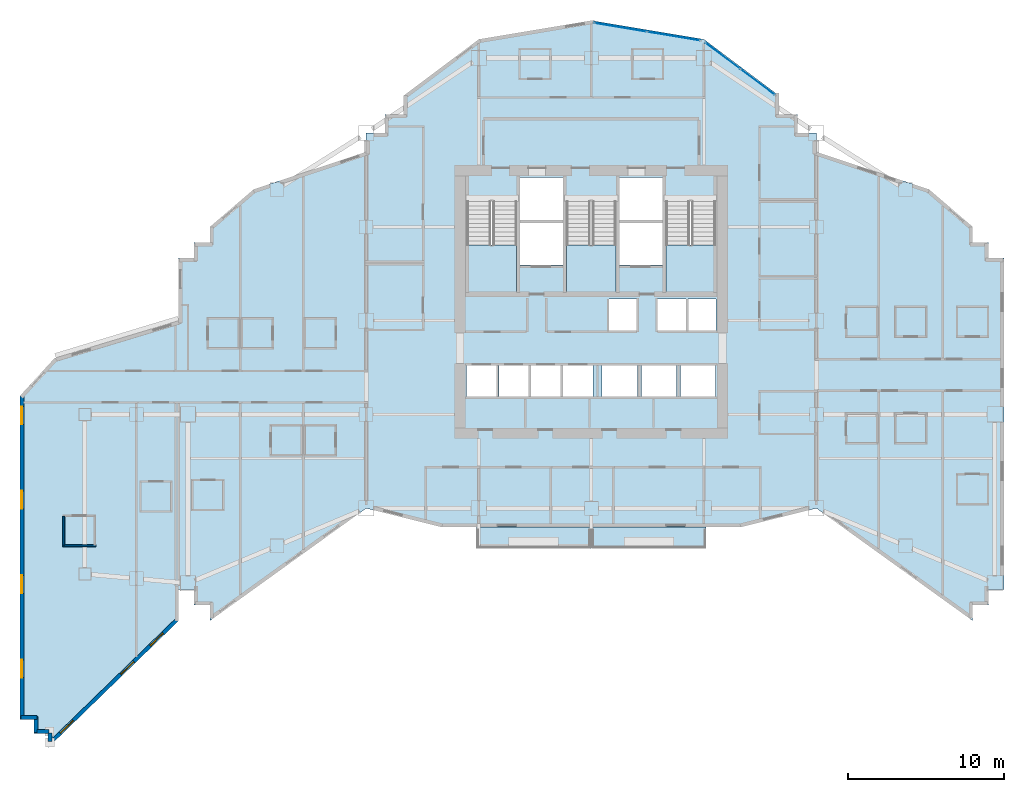
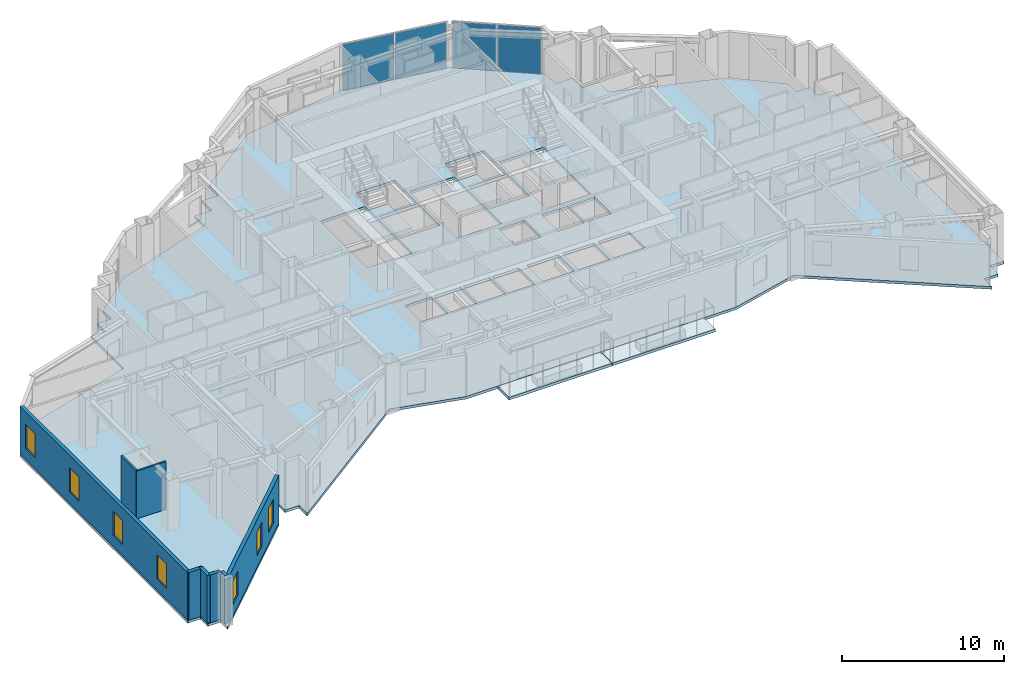
# One storey, part 5 of 14: 8 walls, 7 windows, 6 slabs, 4 plates, 7 openings, 5 elements without a shape of their own.
"""IFC4 building model written with IfcOpenShell, lengths in metres."""

import ifcopenshell
import ifcopenshell.guid

model = None  # the IFC model being written
_history = None  # IfcOwnerHistory: only IFC2X3 demands one
_inside = {}  # id of a spatial element -> (the spatial element, [elements in it])
_under = {}  # id of a project, library or spatial element -> (it, [spatial elements below it])
_declared = {}  # id of a project -> (the project, [libraries it declares])
_typed = {}  # id of a type object -> (the type object, [elements of that type])
_made_of = {}  # id of a material, layer set ... -> (it, [elements and type objects made of it])


def new_model(schema):
    """Start an empty IFC model of exactly this schema.

    Asked for "IFC4X3", IfcOpenShell would pick the latest addendum, in which some entities
    have other attributes; the version numbers below select the first issue.
    IFC2X3 requires an IfcOwnerHistory on every rooted entity: one is made here for all.
    """
    global model, _history
    if schema == "IFC4X3":
        model = ifcopenshell.file(schema_version=(4, 3, 0, 0))
    else:
        model = ifcopenshell.file(schema=schema)
    _inside.clear()
    _under.clear()
    _declared.clear()
    _typed.clear()
    _made_of.clear()
    _history = None
    if model.schema == "IFC2X3":
        org = make("IfcOrganization", Name="unknown")
        user = make(
            "IfcPersonAndOrganization",
            ThePerson=make("IfcPerson", FamilyName="unknown"),
            TheOrganization=org,
        )
        app = make(
            "IfcApplication",
            ApplicationDeveloper=org,
            Version="unknown",
            ApplicationFullName="unknown",
            ApplicationIdentifier="unknown",
        )
        _history = make(
            "IfcOwnerHistory",
            OwningUser=user,
            OwningApplication=app,
            ChangeAction="ADDED",
            CreationDate=0,
        )
    return model


def make(cls, **values):
    """One entity of the class cls with the attributes given. An attribute that is None is left unset."""
    return model.create_entity(
        cls, **{name: value for name, value in values.items() if value is not None}
    )


def rooted(cls, **values):
    """An entity with a GlobalId (a new one), such as an element, a storey or a relation."""
    return make(cls, GlobalId=ifcopenshell.guid.new(), OwnerHistory=_history, **values)


def si_unit(unit_type, name, prefix=None):
    """IfcSIUnit, for example si_unit("LENGTHUNIT", "METRE", prefix="MILLI")."""
    return make("IfcSIUnit", UnitType=unit_type, Prefix=prefix, Name=name)


def assignment(units):
    """IfcUnitAssignment: the units of a project."""
    return None if units is None else make("IfcUnitAssignment", Units=units)


def point(xyz):
    """IfcCartesianPoint."""
    return None if xyz is None else make("IfcCartesianPoint", Coordinates=xyz)


def direction(xyz):
    """IfcDirection."""
    return None if xyz is None else make("IfcDirection", DirectionRatios=xyz)


def frame(location, z_axis=None, x_axis=None):
    """IfcAxis2Placement3D, a coordinate frame: its origin and axes. An axis left out is left unset."""
    return make(
        "IfcAxis2Placement3D",
        Location=point(location),
        Axis=direction(z_axis),
        RefDirection=direction(x_axis),
    )


def frame_2d(location, x_axis=None):
    """IfcAxis2Placement2D, a coordinate frame in the plane: its origin and x axis."""
    return make(
        "IfcAxis2Placement2D", Location=point(location), RefDirection=direction(x_axis)
    )


def origin():
    """The frame at (0, 0, 0) with its axes left unset."""
    return frame((0.0, 0.0, 0.0))


def origin_2d():
    """The frame at (0, 0) in the plane with its x axis left unset."""
    return frame_2d((0.0, 0.0))


def place(relative_to, where):
    """IfcLocalPlacement: puts the frame where relative to a parent placement (None: the world)."""
    return make(
        "IfcLocalPlacement", PlacementRelTo=relative_to, RelativePlacement=where
    )


def context(
    kind, dimensions, precision=None, world=None, true_north=None, identifier=None
):
    """IfcGeometricRepresentationContext, for example the 3D "Model" context."""
    return make(
        "IfcGeometricRepresentationContext",
        ContextIdentifier=identifier,
        ContextType=kind,
        CoordinateSpaceDimension=dimensions,
        Precision=precision,
        WorldCoordinateSystem=world,
        TrueNorth=true_north,
    )


def subcontext(parent, identifier, kind, view, scale=None):
    """IfcGeometricRepresentationSubContext, for example "Body" below "Model"."""
    return make(
        "IfcGeometricRepresentationSubContext",
        ContextIdentifier=identifier,
        ContextType=kind,
        ParentContext=parent,
        TargetScale=scale,
        TargetView=view,
    )


def project(units=None, contexts=None):
    """IfcProject with its units and contexts."""
    return rooted(
        "IfcProject",
        Name="project",
        RepresentationContexts=contexts,
        UnitsInContext=assignment(units),
    )


def spatial(cls, under=None, at=None, **own):
    """A site, building, storey or space (cls), placed at a placement, below another one or the project."""
    s = rooted(cls, ObjectPlacement=at, **own)
    if under is not None:
        _under.setdefault(under.id(), (under, []))[1].append(s)
    return s


def polyline(points):
    """IfcPolyline through the points."""
    return make("IfcPolyline", Points=[point(p) for p in points])


def profile(cls, at=None, kind="AREA", **sizes):
    """A parametric profile (cls). Its sizes go by their IFC names, for example OverallWidth=200.0."""
    return make(cls, ProfileType=kind, Position=at, **sizes)


def rectangle(**sizes):
    """IfcRectangleProfileDef."""
    return profile("IfcRectangleProfileDef", **sizes)


def outline(outer, holes=None, kind="AREA"):
    """IfcArbitraryClosedProfileDef: a profile drawn as a closed curve; with holes, ...WithVoids."""
    if holes is None:
        return make("IfcArbitraryClosedProfileDef", ProfileType=kind, OuterCurve=outer)
    return make(
        "IfcArbitraryProfileDefWithVoids",
        ProfileType=kind,
        OuterCurve=outer,
        InnerCurves=holes,
    )


def extrude(swept, where, along, depth):
    """IfcExtrudedAreaSolid: the profile swept, set in the frame where, extruded along a direction by depth."""
    return make(
        "IfcExtrudedAreaSolid",
        SweptArea=swept,
        Position=where,
        ExtrudedDirection=direction(along),
        Depth=depth,
    )


def shape(context_of_items, identifier, shape_type, items):
    """IfcShapeRepresentation: the items that make up one representation, for example the "Body"."""
    return make(
        "IfcShapeRepresentation",
        ContextOfItems=context_of_items,
        RepresentationIdentifier=identifier,
        RepresentationType=shape_type,
        Items=items,
    )


def material(Name=None, Category=None):
    """IfcMaterial."""
    return make("IfcMaterial", Name=Name, Category=Category)


def layer(
    of_material, thickness, ventilated=None, Name=None, Category=None, Priority=None
):
    """IfcMaterialLayer: one layer of a wall or slab, of a material (None: an air gap)."""
    return make(
        "IfcMaterialLayer",
        Material=of_material,
        LayerThickness=thickness,
        IsVentilated=ventilated,
        Name=Name,
        Category=Category,
        Priority=Priority,
    )


def layer_set(layers, Name=None):
    """IfcMaterialLayerSet."""
    return make("IfcMaterialLayerSet", MaterialLayers=layers, LayerSetName=Name)


def made_of(thing, what):
    """Note that an element or type object is made of a material, layer set ...; save() writes the relation."""
    if what is not None:
        _made_of.setdefault(what.id(), (what, []))[1].append(thing)
    return thing


def type_object(cls, material=None, **own):
    """A type object (cls), such as IfcWallType, which elements share."""
    return made_of(rooted(cls, **own), material)


def element(
    cls,
    number,
    at=None,
    inside=None,
    cuts=None,
    type_object=None,
    material=None,
    context=None,
    identifier="Body",
    shape_type=None,
    held_by="IfcProductDefinitionShape",
    body=None,
    shapes=None,
    **own,
):
    """One element of the class cls, such as IfcWall. Its Tag is "e" and its number.

    at: its placement. inside: the storey or other place that contains it. cuts: it is an
    opening in that element (IfcRelVoidsElement). A single representation is given by context,
    identifier, shape_type and body (its items); several are given by shapes. held_by: the class
    of the entity that holds the representations. save() writes the other relations.
    """
    e = rooted(cls, Tag="e%d" % number, ObjectPlacement=at, **own)
    if body is not None:
        shapes = [shape(context, identifier, shape_type, body)]
    if shapes is not None:
        e.Representation = make(held_by, Representations=shapes)
    if inside is not None:
        _inside.setdefault(inside.id(), (inside, []))[1].append(e)
    if cuts is not None:
        rooted(
            "IfcRelVoidsElement", RelatingBuildingElement=cuts, RelatedOpeningElement=e
        )
    if type_object is not None:
        _typed.setdefault(type_object.id(), (type_object, []))[1].append(e)
    return made_of(e, material)


def fill(opening, filler):
    """IfcRelFillsElement: the door or window that sits in an opening."""
    return rooted(
        "IfcRelFillsElement",
        RelatingOpeningElement=opening,
        RelatedBuildingElement=filler,
    )


def aggregate(whole, parts):
    """IfcRelAggregates: a whole, such as a stair, and the parts it consists of."""
    return rooted("IfcRelAggregates", RelatingObject=whole, RelatedObjects=parts)


def save(model, path):
    """Write the relations noted so far, then the file.

    IfcRelAggregates (storeys below a building ...), IfcRelContainedInSpatialStructure (elements
    in a storey), IfcRelDefinesByType, IfcRelAssociatesMaterial and IfcRelDeclares: one each for
    every whole, place, type object, material and project.
    """
    for whole, parts in _under.values():
        aggregate(whole, parts)
    for where, things in _inside.values():
        rooted(
            "IfcRelContainedInSpatialStructure",
            RelatedElements=things,
            RelatingStructure=where,
        )
    for kind, things in _typed.values():
        rooted("IfcRelDefinesByType", RelatedObjects=things, RelatingType=kind)
    for what, things in _made_of.values():
        rooted("IfcRelAssociatesMaterial", RelatedObjects=things, RelatingMaterial=what)
    for by, libraries in _declared.values():
        rooted("IfcRelDeclares", RelatingContext=by, RelatedDefinitions=libraries)
    model.write(path)


model = new_model("IFC4")

# Units and contexts
model_context = context("Model", 3, precision=1e-05, world=origin(), true_north=direction((0.0, 1.0)))
body_context = subcontext(model_context, "Body", "Model", "MODEL_VIEW")
ifc_project = project(units=[si_unit("LENGTHUNIT", "METRE"), si_unit("AREAUNIT", "SQUARE_METRE"), si_unit("VOLUMEUNIT", "CUBIC_METRE"), si_unit("PLANEANGLEUNIT", "RADIAN"), si_unit("MASSUNIT", "GRAM", prefix="KILO")], contexts=[model_context])

# Site, building, storey
site_placement = place(None, origin())
site = spatial("IfcSite", under=ifc_project, at=site_placement, CompositionType="ELEMENT")
building_placement = place(site_placement, origin())
building = spatial("IfcBuilding", under=site, at=building_placement, Name="Haolan Belvedere Tower", CompositionType="ELEMENT")
storey_placement = place(building_placement, frame((0.0, 0.0, 121.199951171875)))
storey = spatial("IfcBuildingStorey", under=building, at=storey_placement, Name="L30", CompositionType="ELEMENT", Elevation=121.199951171875)

# Curtain wall, plates
ifc_material_1 = material(Name="Anodised champagne-silver aluminium 6063-T6 and Low-E glass", Category="aluminium")
ifc_layer_1 = layer(ifc_material_1, 0.155029296875, Name="Anodised champagne-silver aluminium 6063-T6 and Low-E glass")
ifc_layer_set_1 = layer_set([ifc_layer_1], Name="Anodised champagne-silver aluminium 6063-T6 and Low-E glass")
curtain_wall_type = type_object("IfcCurtainWallType", Name="CW-SYS-03", PredefinedType="NOTDEFINED", material=ifc_layer_set_1)
curtain_wall_1_placement = place(storey_placement, origin())
curtain_wall_1 = element("IfcCurtainWall", 1, at=curtain_wall_1_placement, inside=storey, type_object=curtain_wall_type, Name="L30 CW-SYS-03 ribbon curtain wall 26.1", PredefinedType="NOTDEFINED")
ifc_material_2 = material(Name="Double silver Low-E laminated insulating glass", Category="glass")
ifc_layer_2 = layer(ifc_material_2, 0.02392578125, Name="Double silver Low-E laminated insulating glass")
ifc_layer_set_2 = layer_set([ifc_layer_2], Name="Double silver Low-E laminated insulating glass")
plate_type = type_object("IfcPlateType", Name="CW-SYS-03-PNL", PredefinedType="CURTAIN_PANEL", material=ifc_layer_set_2)
plate_1_placement = place(storey_placement, frame((49.0302734375, 48.877197265625, 0.05419921875), z_axis=(0.0, 0.0, 1.0), x_axis=(-0.800004262313, 0.599994316874, 0.0)))
plate_1 = element("IfcPlate", 2, at=plate_1_placement, type_object=plate_type, Name="CW-03 panel 1.1", PredefinedType="CURTAIN_PANEL", context=body_context, shape_type="SweptSolid", body=[
    extrude(rectangle(XDim=2.728271484375, YDim=0.02392578125, at=origin_2d()), origin(), (0.0, 0.0, 1.0), 3.491943359375),
])
plate_2_placement = place(storey_placement, frame((46.80126953125, 50.549072265625, 0.05419921875), z_axis=(0.0, 0.0, 1.0), x_axis=(-0.800004262313, 0.599994316874, 0.0)))
plate_2 = element("IfcPlate", 3, at=plate_2_placement, type_object=plate_type, Name="CW-03 panel 2.1", PredefinedType="CURTAIN_PANEL", context=body_context, shape_type="SweptSolid", body=[
    extrude(rectangle(XDim=2.728271484375, YDim=0.02392578125, at=origin_2d()), origin(), (0.0, 0.0, 1.0), 3.491943359375),
])
aggregate(curtain_wall_1, [plate_1, plate_2])

curtain_wall_2_placement = place(storey_placement, origin())
curtain_wall_2 = element("IfcCurtainWall", 4, at=curtain_wall_2_placement, inside=storey, type_object=curtain_wall_type, Name="L30 CW-SYS-03 ribbon curtain wall 27.1", PredefinedType="NOTDEFINED")
plate_3_placement = place(storey_placement, frame((43.68017578125, 51.79833984375, 0.05419921875), z_axis=(0.0, 0.0, 1.0), x_axis=(-0.9863931483, 0.16440364043, 0.0)))
plate_3 = element("IfcPlate", 5, at=plate_3_placement, type_object=plate_type, Name="CW-03 panel 1.1", PredefinedType="CURTAIN_PANEL", context=body_context, shape_type="SweptSolid", body=[
    extrude(rectangle(XDim=3.39794921875, YDim=0.02392578125, at=origin_2d()), origin(), (0.0, 0.0, 1.0), 3.491943359375),
])
plate_4_placement = place(storey_placement, frame((40.271240234375, 52.366455078125, 0.05419921875), z_axis=(0.0, 0.0, 1.0), x_axis=(-0.9863931483, 0.16440364043, 0.0)))
plate_4 = element("IfcPlate", 6, at=plate_4_placement, type_object=plate_type, Name="CW-03 panel 2.1", PredefinedType="CURTAIN_PANEL", context=body_context, shape_type="SweptSolid", body=[
    extrude(rectangle(XDim=3.39794921875, YDim=0.02392578125, at=origin_2d()), origin(), (0.0, 0.0, 1.0), 3.491943359375),
])
aggregate(curtain_wall_2, [plate_3, plate_4])

# Slabs
ifc_material_3 = material(Name="Concrete C40/50", Category="concrete")
ifc_layer_3 = layer(ifc_material_3, 0.2099609375, Name="Concrete C40/50")
ifc_layer_set_3 = layer_set([ifc_layer_3], Name="Concrete C40/50")
slab_type_1 = type_object("IfcSlabType", Name="SL-BAL-210", PredefinedType="FLOOR", material=ifc_layer_set_3)
slab_1_placement = place(storey_placement, frame((0.0, 0.0, -0.22998046875)))
element("IfcSlab", 7, at=slab_1_placement, inside=storey, type_object=slab_type_1, Name="L30 structural tree-planter balcony slab BAL-L30-S1", PredefinedType="FLOOR", context=body_context, shape_type="SweptSolid", body=[
    extrude(outline(polyline([(31.050048828125, 19.02001953125), (38.3798828125, 19.02001953125), (38.3798828125, 20.39990234375), (31.050048828125, 20.39990234375), (31.050048828125, 19.02001953125)])), origin(), (0.0, 0.0, 1.0), 0.2099609375),
])
slab_2_placement = place(storey_placement, frame((0.0, 0.0, -0.22998046875)))
element("IfcSlab", 8, at=slab_2_placement, inside=storey, type_object=slab_type_1, Name="L30 structural tree-planter balcony slab BAL-L30-S2", PredefinedType="FLOOR", context=body_context, shape_type="SweptSolid", body=[
    extrude(outline(polyline([(38.419921875, 19.02001953125), (45.75, 19.02001953125), (45.75, 20.39990234375), (38.419921875, 20.39990234375), (38.419921875, 19.02001953125)])), origin(), (0.0, 0.0, 1.0), 0.2099609375),
])
ifc_layer_4 = layer(ifc_material_3, 0.199951171875, Name="Concrete C40/50")
ifc_layer_set_4 = layer_set([ifc_layer_4], Name="Concrete C40/50")
slab_type_2 = type_object("IfcSlabType", Name="SL-FLR-200", PredefinedType="FLOOR", material=ifc_layer_set_4)
slab_3_placement = place(storey_placement, frame((0.0, 0.0, -0.199951171875)))
element("IfcSlab", 9, at=slab_3_placement, inside=storey, type_object=slab_type_2, Name="L30 structural floor slab", PredefinedType="FLOOR", context=body_context, shape_type="SweptSolid", body=[
    extrude(outline(polyline([(12.0, 14.39990234375), (12.0, 16.39990234375), (13.0, 16.39990234375), (13.0, 15.39990234375), (14.0, 15.39990234375), (14.0, 14.39990234375), (24.0, 21.60009765625), (28.800048828125, 20.39990234375), (48.0, 20.39990234375), (52.800048828125, 21.60009765625), (62.800048828125, 14.39990234375), (62.800048828125, 15.39990234375), (63.800048828125, 15.39990234375), (63.800048828125, 16.39990234375), (64.800048828125, 16.39990234375), (64.800048828125, 37.60009765625), (63.800048828125, 37.60009765625), (63.800048828125, 38.60009765625), (62.800048828125, 38.60009765625), (62.800048828125, 39.60009765625), (60.0, 42.0), (52.800048828125, 44.39990234375), (52.800048828125, 45.60009765625), (51.60009765625, 45.60009765625), (51.60009765625, 46.800048828125), (50.39990234375, 46.800048828125), (50.39990234375, 48.0), (45.60009765625, 51.60009765625), (38.39990234375, 52.800048828125), (31.199951171875, 51.60009765625), (26.39990234375, 48.0), (26.39990234375, 46.800048828125), (25.199951171875, 46.800048828125), (25.199951171875, 45.60009765625), (24.0, 45.60009765625), (24.0, 44.39990234375), (16.800048828125, 42.0), (14.0, 39.60009765625), (14.0, 38.60009765625), (13.0, 38.60009765625), (13.0, 37.60009765625), (12.0, 37.60009765625), (12.0, 33.60009765625), (4.06005859375, 31.199951171875), (1.860107421875, 28.800048828125), (1.860107421875, 8.697021484375), (1.860107421875, 8.096923828125), (2.760009765625, 8.096923828125), (2.760009765625, 7.197021484375), (3.659912109375, 7.197021484375), (3.659912109375, 6.297119140625), (12.0, 14.39990234375)]), holes=[polyline([(30.449951171875, 41.22998046875), (30.449951171875, 35.449951171875), (33.6298828125, 35.449951171875), (33.6298828125, 41.22998046875), (30.449951171875, 41.22998046875)]), polyline([(36.81005859375, 41.22998046875), (36.81005859375, 35.449951171875), (39.989990234375, 35.449951171875), (39.989990234375, 41.22998046875), (36.81005859375, 41.22998046875)]), polyline([(43.169921875, 41.22998046875), (43.169921875, 35.449951171875), (46.35009765625, 35.449951171875), (46.35009765625, 41.22998046875), (43.169921875, 41.22998046875)]), polyline([(33.830078125, 40.050048828125), (36.610107421875, 40.050048828125), (36.610107421875, 42.75), (33.830078125, 42.75), (33.830078125, 40.050048828125)]), polyline([(33.830078125, 37.14990234375), (36.610107421875, 37.14990234375), (36.610107421875, 39.85009765625), (33.830078125, 39.85009765625), (33.830078125, 37.14990234375)]), polyline([(40.18994140625, 40.050048828125), (42.969970703125, 40.050048828125), (42.969970703125, 42.75), (40.18994140625, 42.75), (40.18994140625, 40.050048828125)]), polyline([(40.18994140625, 37.14990234375), (42.969970703125, 37.14990234375), (42.969970703125, 39.85009765625), (40.18994140625, 39.85009765625), (40.18994140625, 37.14990234375)]), polyline([(39.5400390625, 32.949951171875), (41.389892578125, 32.949951171875), (41.389892578125, 35.0), (39.5400390625, 35.0), (39.5400390625, 32.949951171875)]), polyline([(42.6201171875, 32.949951171875), (44.469970703125, 32.949951171875), (44.469970703125, 35.0), (42.6201171875, 35.0), (42.6201171875, 32.949951171875)]), polyline([(44.580078125, 32.949951171875), (46.3798828125, 32.949951171875), (46.3798828125, 35.0), (44.580078125, 35.0), (44.580078125, 32.949951171875)]), polyline([(30.419921875, 28.75), (32.320068359375, 28.75), (32.320068359375, 30.75), (30.419921875, 30.75), (30.419921875, 28.75)]), polyline([(32.47998046875, 28.75), (34.3798828125, 28.75), (34.3798828125, 30.75), (32.47998046875, 30.75), (32.47998046875, 28.75)]), polyline([(34.5400390625, 28.75), (36.43994140625, 28.75), (36.43994140625, 30.75), (34.5400390625, 30.75), (34.5400390625, 28.75)]), polyline([(36.60009765625, 28.75), (38.5, 28.75), (38.5, 30.75), (36.60009765625, 30.75), (36.60009765625, 28.75)]), polyline([(39.10009765625, 28.75), (41.340087890625, 28.75), (41.340087890625, 30.75), (39.10009765625, 30.75), (39.10009765625, 28.75)]), polyline([(41.610107421875, 28.75), (43.85009765625, 28.75), (43.85009765625, 30.75), (41.610107421875, 30.75), (41.610107421875, 28.75)]), polyline([(44.1201171875, 28.75), (46.360107421875, 28.75), (46.360107421875, 30.75), (44.1201171875, 30.75), (44.1201171875, 28.75)])]), origin(), (0.0, 0.0, 1.0), 0.199951171875),
])

# Stair, slab
stair_type = type_object("IfcStairType", Name="STR-DL-22R-173", PredefinedType="HALF_TURN_STAIR", material=ifc_material_3)
stair_1_placement = place(storey_placement, origin())
stair_1 = element("IfcStair", 10, at=stair_1_placement, inside=storey, type_object=stair_type, Name="L30 Smokeproof Core Exit Stair ST1", PredefinedType="HALF_TURN_STAIR")
ifc_layer_5 = layer(ifc_material_3, 0.199951171875, Name="Concrete C40/50")
ifc_layer_set_5 = layer_set([ifc_layer_5], Name="Concrete C40/50")
slab_type_3 = type_object("IfcSlabType", Name="SL-LAND-200", PredefinedType="LANDING", material=ifc_layer_set_5)
slab_4_placement = place(storey_placement, frame((0.0, 0.0, 1.699951171875)))
slab_4 = element("IfcSlab", 11, at=slab_4_placement, type_object=slab_type_3, Name="ST1 landing 1", PredefinedType="LANDING", context=body_context, shape_type="SweptSolid", body=[
    extrude(outline(polyline([(30.449951171875, 38.429931640625), (30.449951171875, 35.449951171875), (33.6298828125, 35.449951171875), (33.6298828125, 38.429931640625), (30.449951171875, 38.429931640625)])), origin(), (0.0, 0.0, 1.0), 0.2001953125),
])
aggregate(stair_1, [slab_4])

stair_2_placement = place(storey_placement, origin())
stair_2 = element("IfcStair", 12, at=stair_2_placement, inside=storey, type_object=stair_type, Name="L30 Smokeproof Core Exit Stair ST3", PredefinedType="HALF_TURN_STAIR")
slab_5_placement = place(storey_placement, frame((0.0, 0.0, 1.699951171875)))
slab_5 = element("IfcSlab", 13, at=slab_5_placement, type_object=slab_type_3, Name="ST3 landing 1", PredefinedType="LANDING", context=body_context, shape_type="SweptSolid", body=[
    extrude(outline(polyline([(36.81005859375, 38.429931640625), (36.81005859375, 35.449951171875), (39.989990234375, 35.449951171875), (39.989990234375, 38.429931640625), (36.81005859375, 38.429931640625)])), origin(), (0.0, 0.0, 1.0), 0.2001953125),
])
aggregate(stair_2, [slab_5])

stair_3_placement = place(storey_placement, origin())
stair_3 = element("IfcStair", 14, at=stair_3_placement, inside=storey, type_object=stair_type, Name="L30 Smokeproof Core Exit Stair ST2", PredefinedType="HALF_TURN_STAIR")
slab_6_placement = place(storey_placement, frame((0.0, 0.0, 1.699951171875)))
slab_6 = element("IfcSlab", 15, at=slab_6_placement, type_object=slab_type_3, Name="ST2 landing 1", PredefinedType="LANDING", context=body_context, shape_type="SweptSolid", body=[
    extrude(outline(polyline([(43.169921875, 38.429931640625), (43.169921875, 35.449951171875), (46.35009765625, 35.449951171875), (46.35009765625, 38.429931640625), (43.169921875, 38.429931640625)])), origin(), (0.0, 0.0, 1.0), 0.2001953125),
])
aggregate(stair_3, [slab_6])

# Wall, openings, windows
ifc_material_4 = material(Name="Precast concrete C40/50", Category="concrete")
ifc_layer_6 = layer(ifc_material_4, 0.239990234375, Name="Precast concrete C40/50")
ifc_layer_set_6 = layer_set([ifc_layer_6], Name="Precast concrete C40/50")
wall_type_1 = type_object("IfcWallType", Name="WL-EXT-240", PredefinedType="SOLIDWALL", material=ifc_layer_set_6)
wall_1_placement = place(storey_placement, frame((1.97998046875, 28.808349609375, 0.0), z_axis=(0.0, 0.0, 1.0), x_axis=(0.0, -1.0, 0.0)))
wall_1 = element("IfcWall", 16, at=wall_1_placement, inside=storey, type_object=wall_type_1, Name="L30 pale-metal exterior spandrel wall 44.1", PredefinedType="SOLIDWALL", context=body_context, shape_type="SweptSolid", body=[
    extrude(rectangle(XDim=20.646240234375, YDim=0.239990234375, at=frame_2d((10.3232421875, 0.0))), origin(), (0.0, 0.0, 1.0), 3.60009765625),
])
opening_1_placement = place(wall_1_placement, frame((0.699951171875, 0.0, 0.85009765625)))
opening_1 = element("IfcOpeningElement", 17, at=opening_1_placement, cuts=wall_1, Name="Opening W-02", PredefinedType="OPENING", context=body_context, shape_type="SweptSolid", body=[
    extrude(rectangle(XDim=1.14990234375, YDim=1.800048828125, at=frame_2d((0.574951171875, 0.89990234375))), frame((0.0, 0.1298828125, 0.0), z_axis=(0.0, -1.0, 0.0), x_axis=(1.0, 0.0, 0.0)), (0.0, 0.0, 1.0), 0.260009765625),
])
opening_2_placement = place(wall_1_placement, frame((6.10009765625, 0.0, 0.85009765625)))
opening_2 = element("IfcOpeningElement", 18, at=opening_2_placement, cuts=wall_1, Name="Opening W-02", PredefinedType="OPENING", context=body_context, shape_type="SweptSolid", body=[
    extrude(rectangle(XDim=1.14990234375, YDim=1.800048828125, at=frame_2d((0.574951171875, 0.89990234375))), frame((0.0, 0.1298828125, 0.0), z_axis=(0.0, -1.0, 0.0), x_axis=(1.0, 0.0, 0.0)), (0.0, 0.0, 1.0), 0.260009765625),
])
opening_3_placement = place(wall_1_placement, frame((11.5, 0.0, 0.85009765625)))
opening_3 = element("IfcOpeningElement", 19, at=opening_3_placement, cuts=wall_1, Name="Opening W-02", PredefinedType="OPENING", context=body_context, shape_type="SweptSolid", body=[
    extrude(rectangle(XDim=1.14990234375, YDim=1.800048828125, at=frame_2d((0.574951171875, 0.89990234375))), frame((0.0, 0.1298828125, 0.0), z_axis=(0.0, -1.0, 0.0), x_axis=(1.0, 0.0, 0.0)), (0.0, 0.0, 1.0), 0.260009765625),
])
opening_4_placement = place(wall_1_placement, frame((16.89990234375, 0.0, 0.85009765625)))
opening_4 = element("IfcOpeningElement", 20, at=opening_4_placement, cuts=wall_1, Name="Opening W-02", PredefinedType="OPENING", context=body_context, shape_type="SweptSolid", body=[
    extrude(rectangle(XDim=1.14990234375, YDim=1.800048828125, at=frame_2d((0.574951171875, 0.89990234375))), frame((0.0, 0.1298828125, 0.0), z_axis=(0.0, -1.0, 0.0), x_axis=(1.0, 0.0, 0.0)), (0.0, 0.0, 1.0), 0.260009765625),
])
ifc_material_5 = material(Name="Anodised aluminium 6063-T6 and Low-E glass", Category="aluminium")
window_type = type_object("IfcWindowType", Name="WN-DECO-Z2", PartitioningType="SINGLE_PANEL", PredefinedType="WINDOW", material=ifc_material_5)
window_1_placement = place(opening_1_placement, origin())
window_1 = element("IfcWindow", 21, at=window_1_placement, inside=storey, type_object=window_type, Name="L30 Art Deco chevron window 1", OverallHeight=1.800048828125, OverallWidth=1.14990234375, PartitioningType="SINGLE_PANEL", PredefinedType="WINDOW", context=body_context, shape_type="SweptSolid", body=[
    extrude(rectangle(XDim=1.14990234375, YDim=1.800048828125, at=frame_2d((0.574951171875, 0.89990234375))), frame((0.0, 0.030029296875, 0.0), z_axis=(0.0, -1.0, 0.0), x_axis=(1.0, 0.0, 0.0)), (0.0, 0.0, 1.0), 0.06005859375),
])
fill(opening_1, window_1)
window_2_placement = place(opening_2_placement, origin())
window_2 = element("IfcWindow", 22, at=window_2_placement, inside=storey, type_object=window_type, Name="L30 Art Deco chevron window 2", OverallHeight=1.800048828125, OverallWidth=1.14990234375, PartitioningType="SINGLE_PANEL", PredefinedType="WINDOW", context=body_context, shape_type="SweptSolid", body=[
    extrude(rectangle(XDim=1.14990234375, YDim=1.800048828125, at=frame_2d((0.574951171875, 0.89990234375))), frame((0.0, 0.030029296875, 0.0), z_axis=(0.0, -1.0, 0.0), x_axis=(1.0, 0.0, 0.0)), (0.0, 0.0, 1.0), 0.06005859375),
])
fill(opening_2, window_2)
window_3_placement = place(opening_3_placement, origin())
window_3 = element("IfcWindow", 23, at=window_3_placement, inside=storey, type_object=window_type, Name="L30 Art Deco chevron window 3", OverallHeight=1.800048828125, OverallWidth=1.14990234375, PartitioningType="SINGLE_PANEL", PredefinedType="WINDOW", context=body_context, shape_type="SweptSolid", body=[
    extrude(rectangle(XDim=1.14990234375, YDim=1.800048828125, at=frame_2d((0.574951171875, 0.89990234375))), frame((0.0, 0.030029296875, 0.0), z_axis=(0.0, -1.0, 0.0), x_axis=(1.0, 0.0, 0.0)), (0.0, 0.0, 1.0), 0.06005859375),
])
fill(opening_3, window_3)
window_4_placement = place(opening_4_placement, origin())
window_4 = element("IfcWindow", 24, at=window_4_placement, inside=storey, type_object=window_type, Name="L30 Art Deco chevron window 4", OverallHeight=1.800048828125, OverallWidth=1.14990234375, PartitioningType="SINGLE_PANEL", PredefinedType="WINDOW", context=body_context, shape_type="SweptSolid", body=[
    extrude(rectangle(XDim=1.14990234375, YDim=1.800048828125, at=frame_2d((0.574951171875, 0.89990234375))), frame((0.0, 0.030029296875, 0.0), z_axis=(0.0, -1.0, 0.0), x_axis=(1.0, 0.0, 0.0)), (0.0, 0.0, 1.0), 0.06005859375),
])
fill(opening_4, window_4)

# Walls
for number, where, z_axis, x_axis, name in (
    (25, (1.925048828125, 8.217041015625, 0.0), (0.0, 0.0, 1.0), (1.0, 0.0, 0.0), "L30 pale-metal exterior spandrel wall 45.1"),
    (26, (2.8798828125, 8.27197265625, 0.0), (0.0, 0.0, 1.0), (0.0, -1.0, 0.0), "L30 pale-metal exterior spandrel wall 46.1"),
):
    element("IfcWall", number, at=place(storey_placement, frame(where, z_axis=z_axis, x_axis=x_axis)), inside=storey, type_object=wall_type_1, Name=name, PredefinedType="SOLIDWALL", context=body_context, shape_type="SweptSolid", body=[
        extrude(rectangle(XDim=1.010009765625, YDim=0.239990234375, at=frame_2d((0.5048828125, 0.0))), origin(), (0.0, 0.0, 1.0), 3.60009765625),
    ])
wall_2_placement = place(storey_placement, frame((2.945068359375, 7.31689453125, 0.0), z_axis=(0.0, 0.0, 1.0), x_axis=(1.0, 0.0, 0.0)))
element("IfcWall", 27, at=wall_2_placement, inside=storey, type_object=wall_type_1, Name="L30 pale-metal exterior spandrel wall 47.1", PredefinedType="SOLIDWALL", context=body_context, shape_type="SweptSolid", body=[
    extrude(rectangle(XDim=0.75, YDim=0.239990234375, at=frame_2d((0.375, 0.0))), origin(), (0.0, 0.0, 1.0), 3.60009765625),
])
wall_3_placement = place(storey_placement, frame((3.780029296875, 7.23193359375, 0.0), z_axis=(0.0, 0.0, 1.0), x_axis=(0.0, -1.0, 0.0)))
element("IfcWall", 28, at=wall_3_placement, inside=storey, type_object=wall_type_1, Name="L30 pale-metal exterior spandrel wall 48.1", PredefinedType="SOLIDWALL", context=body_context, shape_type="SweptSolid", body=[
    extrude(rectangle(XDim=0.56591796875, YDim=0.239990234375, at=frame_2d((0.282958984375, 0.0))), origin(), (0.0, 0.0, 1.0), 3.60009765625),
])

# Wall, openings, windows
wall_4_placement = place(storey_placement, frame((3.937744140625, 6.734130859375, 0.0), z_axis=(0.0, 0.0, 1.0), x_axis=(0.717223616435, 0.696843084222, 0.0)))
wall_4 = element("IfcWall", 29, at=wall_4_placement, inside=storey, type_object=wall_type_1, Name="L30 pale-metal exterior spandrel wall 49.1", PredefinedType="SOLIDWALL", context=body_context, shape_type="SweptSolid", body=[
    extrude(rectangle(XDim=11.128662109375, YDim=0.239990234375, at=frame_2d((5.564453125, 0.0))), origin(), (0.0, 0.0, 1.0), 3.60009765625),
])
opening_5_placement = place(wall_4_placement, frame((0.699951171875, 0.0, 0.85009765625)))
opening_5 = element("IfcOpeningElement", 30, at=opening_5_placement, cuts=wall_4, Name="Opening W-02", PredefinedType="OPENING", context=body_context, shape_type="SweptSolid", body=[
    extrude(rectangle(XDim=1.14990234375, YDim=1.800048828125, at=frame_2d((0.574951171875, 0.89990234375))), frame((0.0, 0.1298828125, 0.0), z_axis=(0.0, -1.0, 0.0), x_axis=(1.0, 0.0, 0.0)), (0.0, 0.0, 1.0), 0.260009765625),
])
opening_6_placement = place(wall_4_placement, frame((6.10009765625, 0.0, 0.85009765625)))
opening_6 = element("IfcOpeningElement", 31, at=opening_6_placement, cuts=wall_4, Name="Opening W-02", PredefinedType="OPENING", context=body_context, shape_type="SweptSolid", body=[
    extrude(rectangle(XDim=1.14990234375, YDim=1.800048828125, at=frame_2d((0.574951171875, 0.89990234375))), frame((0.0, 0.1298828125, 0.0), z_axis=(0.0, -1.0, 0.0), x_axis=(1.0, 0.0, 0.0)), (0.0, 0.0, 1.0), 0.260009765625),
])
opening_7_placement = place(wall_4_placement, frame((8.709228515625, 0.0, 0.85009765625)))
opening_7 = element("IfcOpeningElement", 32, at=opening_7_placement, cuts=wall_4, Name="Opening W-02", PredefinedType="OPENING", context=body_context, shape_type="SweptSolid", body=[
    extrude(rectangle(XDim=1.14990234375, YDim=1.800048828125, at=frame_2d((0.574951171875, 0.89990234375))), frame((0.0, 0.1298828125, 0.0), z_axis=(0.0, -1.0, 0.0), x_axis=(1.0, 0.0, 0.0)), (0.0, 0.0, 1.0), 0.260009765625),
])
window_5_placement = place(opening_5_placement, origin())
window_5 = element("IfcWindow", 33, at=window_5_placement, inside=storey, type_object=window_type, Name="L30 Art Deco chevron window 1", OverallHeight=1.800048828125, OverallWidth=1.14990234375, PartitioningType="SINGLE_PANEL", PredefinedType="WINDOW", context=body_context, shape_type="SweptSolid", body=[
    extrude(rectangle(XDim=1.14990234375, YDim=1.800048828125, at=frame_2d((0.574951171875, 0.89990234375))), frame((0.0, 0.030029296875, 0.0), z_axis=(0.0, -1.0, 0.0), x_axis=(1.0, 0.0, 0.0)), (0.0, 0.0, 1.0), 0.06005859375),
])
fill(opening_5, window_5)
window_6_placement = place(opening_6_placement, origin())
window_6 = element("IfcWindow", 34, at=window_6_placement, inside=storey, type_object=window_type, Name="L30 Art Deco chevron window 2", OverallHeight=1.800048828125, OverallWidth=1.14990234375, PartitioningType="SINGLE_PANEL", PredefinedType="WINDOW", context=body_context, shape_type="SweptSolid", body=[
    extrude(rectangle(XDim=1.14990234375, YDim=1.800048828125, at=frame_2d((0.574951171875, 0.89990234375))), frame((0.0, 0.030029296875, 0.0), z_axis=(0.0, -1.0, 0.0), x_axis=(1.0, 0.0, 0.0)), (0.0, 0.0, 1.0), 0.06005859375),
])
fill(opening_6, window_6)
window_7_placement = place(opening_7_placement, origin())
window_7 = element("IfcWindow", 35, at=window_7_placement, inside=storey, type_object=window_type, Name="L30 Art Deco guestroom window 3", OverallHeight=1.800048828125, OverallWidth=1.14990234375, PartitioningType="SINGLE_PANEL", PredefinedType="WINDOW", context=body_context, shape_type="SweptSolid", body=[
    extrude(rectangle(XDim=1.14990234375, YDim=1.800048828125, at=frame_2d((0.574951171875, 0.89990234375))), frame((0.0, 0.030029296875, 0.0), z_axis=(0.0, -1.0, 0.0), x_axis=(1.0, 0.0, 0.0)), (0.0, 0.0, 1.0), 0.06005859375),
])
fill(opening_7, window_7)

# Walls
ifc_material_6 = material(Name="Moisture-resistant gypsum tile partition", Category="masonry")
ifc_layer_7 = layer(ifc_material_6, 0.1201171875, Name="Moisture-resistant gypsum tile partition")
ifc_layer_set_7 = layer_set([ifc_layer_7], Name="Moisture-resistant gypsum tile partition")
wall_type_2 = type_object("IfcWallType", Name="WL-WET-120", PredefinedType="PARTITIONING", material=ifc_layer_set_7)
wall_5_placement = place(storey_placement, frame((4.594970703125, 19.2041015625, 0.0), z_axis=(0.0, 0.0, 1.0), x_axis=(1.0, 0.0, 0.0)))
element("IfcWall", 36, at=wall_5_placement, inside=storey, type_object=wall_type_2, Name="L30 interior partition IW-L30-T1S1-BS", PredefinedType="PARTITIONING", context=body_context, shape_type="SweptSolid", body=[
    extrude(rectangle(XDim=2.10009765625, YDim=0.1201171875, at=frame_2d((1.050048828125, 0.0))), origin(), (0.0, 0.0, 1.0), 3.60009765625),
])
wall_6_placement = place(storey_placement, frame((4.655029296875, 19.2490234375, 0.0), z_axis=(0.0, 0.0, 1.0), x_axis=(0.0, 1.0, 0.0)))
element("IfcWall", 37, at=wall_6_placement, inside=storey, type_object=wall_type_2, Name="L30 interior partition IW-L30-T1S1-BW", PredefinedType="PARTITIONING", context=body_context, shape_type="SweptSolid", body=[
    extrude(rectangle(XDim=1.830078125, YDim=0.1201171875, at=frame_2d((0.9150390625, 0.0))), origin(), (0.0, 0.0, 1.0), 3.60009765625),
])

save(model, "model.ifc")
